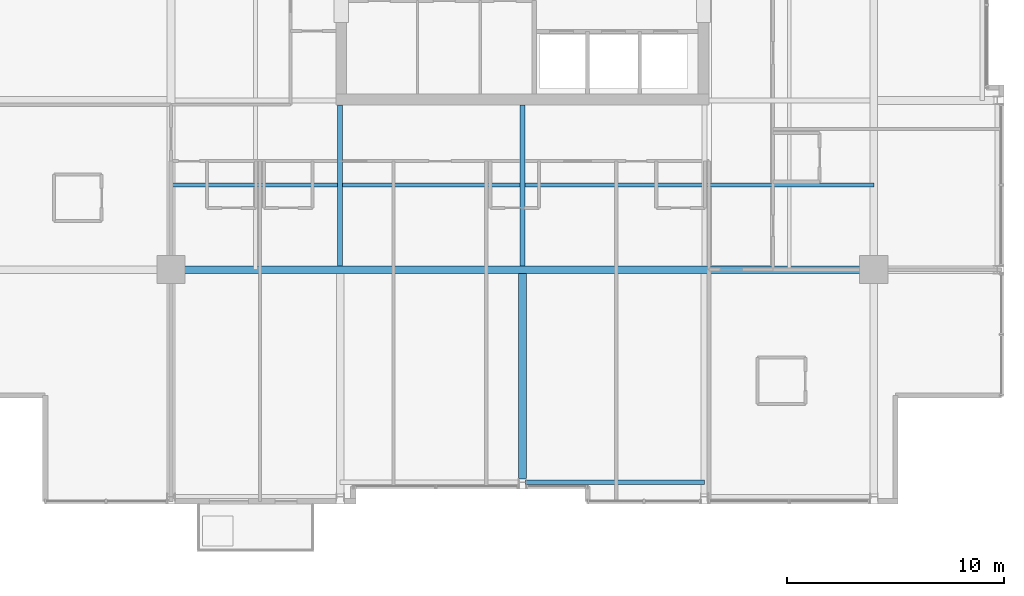
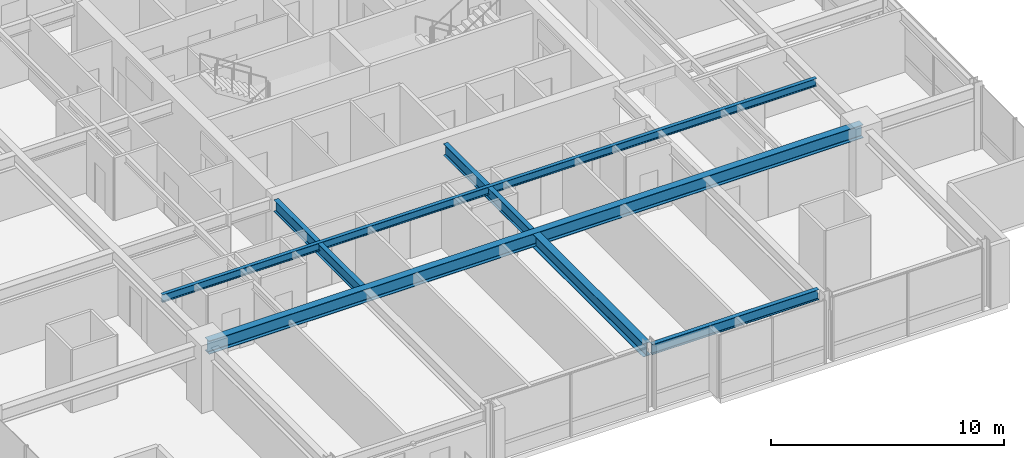
# One storey, part 6 of 32: 6 beams.
"""IFC4 building model written with IfcOpenShell, lengths in metres."""

from ifc_helpers import new_model, si_unit, direction, frame, origin, origin_2d, place, context, subcontext, project, spatial, i_section, extrude, material, material_profile, profile_set, type_object, element, save


model = new_model("IFC4")

# Units and contexts
model_context = context("Model", 3, precision=1e-05, world=origin(), true_north=direction((0.0, 1.0)))
body_context = subcontext(model_context, "Body", "Model", "MODEL_VIEW")
ifc_project = project(units=[si_unit("LENGTHUNIT", "METRE"), si_unit("AREAUNIT", "SQUARE_METRE"), si_unit("VOLUMEUNIT", "CUBIC_METRE"), si_unit("PLANEANGLEUNIT", "RADIAN"), si_unit("MASSUNIT", "GRAM", prefix="KILO")], contexts=[model_context])

# Site, building, storey
site_placement = place(None, origin())
site = spatial("IfcSite", under=ifc_project, at=site_placement, CompositionType="ELEMENT")
building_placement = place(site_placement, origin())
building = spatial("IfcBuilding", under=site, at=building_placement, Name="Drelvath Grand Hotel", CompositionType="ELEMENT")
storey_placement = place(building_placement, frame((0.0, 0.0, 193.0)))
storey = spatial("IfcBuildingStorey", under=building, at=storey_placement, Name="L50", CompositionType="ELEMENT", Elevation=193.0)

# Beams
ifc_material = material(Name="Steel ASTM A992 Gr 50", Category="steel")
ifc_material_profile_1 = material_profile(ifc_material, i_section(OverallWidth=0.177734375, OverallDepth=0.40673828125, WebThickness=0.0078125, FlangeThickness=0.0126953125, FilletRadius=0.014892578125, at=origin_2d()), Name="W16X40")
ifc_profile_set_1 = profile_set([ifc_material_profile_1], Name="Steel ASTM A992 Gr 50")
beam_type_1 = type_object("IfcBeamType", Name="Composite Floor Joist W16X40", PredefinedType="JOIST", material=ifc_profile_set_1)
beam_1_placement = place(storey_placement, frame((-16.199951171875, 14.699951171875, 3.086669921875), z_axis=(1.0, 0.0, 0.0), x_axis=(0.0, 1.0, 0.0)))
element("IfcBeam", 1, at=beam_1_placement, inside=storey, type_object=beam_type_1, Name="L50 Floor Joist J1", PredefinedType="JOIST", context=body_context, shape_type="SweptSolid", body=[
    extrude(i_section(OverallWidth=0.177734375, OverallDepth=0.40673828125, WebThickness=0.0078125, FlangeThickness=0.0126953125, FilletRadius=0.014892578125, at=origin_2d()), origin(), (0.0, 0.0, 1.0), 32.39990234375),
])
ifc_material_profile_2 = material_profile(ifc_material, i_section(OverallWidth=0.210205078125, OverallDepth=0.53662109375, WebThickness=0.010986328125, FlangeThickness=0.017333984375, FilletRadius=0.01806640625, at=origin_2d()), Name="W21X68")
ifc_profile_set_2 = profile_set([ifc_material_profile_2], Name="Steel ASTM A992 Gr 50")
beam_type_2 = type_object("IfcBeamType", Name="Perimeter Spandrel Beam W21X68", PredefinedType="SPANDREL", material=ifc_profile_set_2)
beam_2_placement = place(storey_placement, frame((0.139892578125, 1.0, 3.021484375), z_axis=(1.0, 0.0, 0.0), x_axis=(0.0, 1.0, 0.0)))
element("IfcBeam", 2, at=beam_2_placement, inside=storey, type_object=beam_type_2, Name="L50 Spandrel South Mid E", PredefinedType="SPANDREL", context=body_context, shape_type="SweptSolid", body=[
    extrude(i_section(OverallWidth=0.210205078125, OverallDepth=0.53662109375, WebThickness=0.010986328125, FlangeThickness=0.017333984375, FilletRadius=0.01806640625, at=origin_2d()), origin(), (0.0, 0.0, 1.0), 8.260009765625),
])
ifc_material_profile_3 = material_profile(ifc_material, i_section(OverallWidth=0.228271484375, OverallDepth=0.607666015625, WebThickness=0.01123046875, FlangeThickness=0.017333984375, FilletRadius=0.02001953125, at=origin_2d()), Name="W24X76")
ifc_profile_set_3 = profile_set([ifc_material_profile_3], Name="Steel ASTM A992 Gr 50")
beam_type_3 = type_object("IfcBeamType", Name="Primary Floor Girder W24X76", PredefinedType="BEAM", material=ifc_profile_set_3)
for number, where, z_axis, x_axis, name in (
    (3, (-8.39990234375, 10.977294921875, 2.986083984375), (0.0, 1.0, 0.0), (-1.0, 0.0, 0.0), "L50 South Core Tie 4"),
    (4, (0.0, 10.977294921875, 2.986083984375), (0.0, 1.0, 0.0), (-1.0, 0.0, 0.0), "L50 South Core Tie 5"),
):
    element("IfcBeam", number, at=place(storey_placement, frame(where, z_axis=z_axis, x_axis=x_axis)), inside=storey, type_object=beam_type_3, Name=name, PredefinedType="BEAM", context=body_context, shape_type="SweptSolid", body=[
        extrude(i_section(OverallWidth=0.228271484375, OverallDepth=0.607666015625, WebThickness=0.01123046875, FlangeThickness=0.017333984375, FilletRadius=0.02001953125, at=origin_2d()), origin(), (0.0, 0.0, 1.0), 7.422607421875),
    ])
ifc_material_profile_4 = material_profile(ifc_material, i_section(OverallWidth=0.354736328125, OverallDepth=0.695556640625, WebThickness=0.015380859375, FlangeThickness=0.025146484375, FilletRadius=0.02392578125, at=origin_2d()), Name="W27X146")
ifc_profile_set_4 = profile_set([ifc_material_profile_4], Name="Steel ASTM A992 Gr 50")
beam_type_4 = type_object("IfcBeamType", Name="Primary Floor Girder W27X146", PredefinedType="BEAM", material=ifc_profile_set_4)
beam_3_placement = place(storey_placement, frame((-16.199951171875, 10.800048828125, 2.9423828125), z_axis=(1.0, 0.0, 0.0), x_axis=(0.0, 1.0, 0.0)))
element("IfcBeam", 5, at=beam_3_placement, inside=storey, type_object=beam_type_4, Name="L50 Mega Ring Girder South", PredefinedType="BEAM", context=body_context, shape_type="SweptSolid", body=[
    extrude(i_section(OverallWidth=0.354736328125, OverallDepth=0.695556640625, WebThickness=0.015380859375, FlangeThickness=0.025146484375, FilletRadius=0.02392578125, at=origin_2d()), origin(), (0.0, 0.0, 1.0), 32.39990234375),
])
beam_4_placement = place(storey_placement, frame((0.0, 1.139892578125, 2.9423828125), z_axis=(0.0, 1.0, 0.0), x_axis=(-1.0, 0.0, 0.0)))
element("IfcBeam", 6, at=beam_4_placement, inside=storey, type_object=beam_type_4, Name="L50 South Wing Girder 5", PredefinedType="BEAM", context=body_context, shape_type="SweptSolid", body=[
    extrude(i_section(OverallWidth=0.354736328125, OverallDepth=0.695556640625, WebThickness=0.015380859375, FlangeThickness=0.025146484375, FilletRadius=0.02392578125, at=origin_2d()), origin(), (0.0, 0.0, 1.0), 9.482666015625),
])

save(model, "model.ifc")
